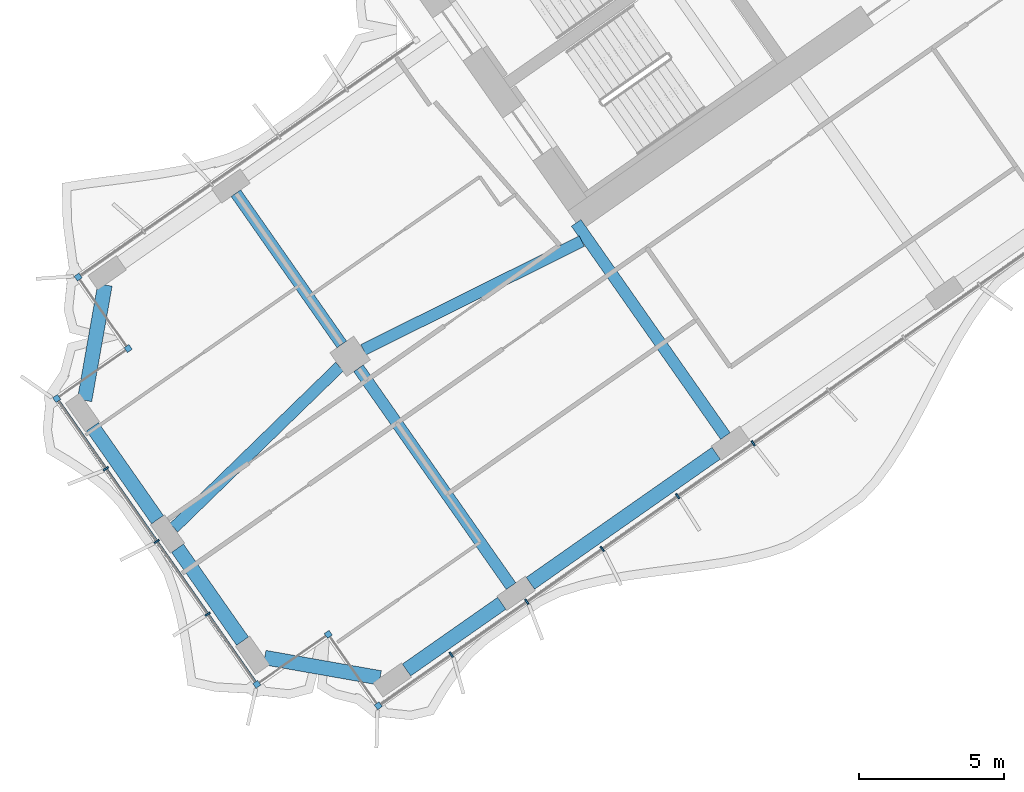
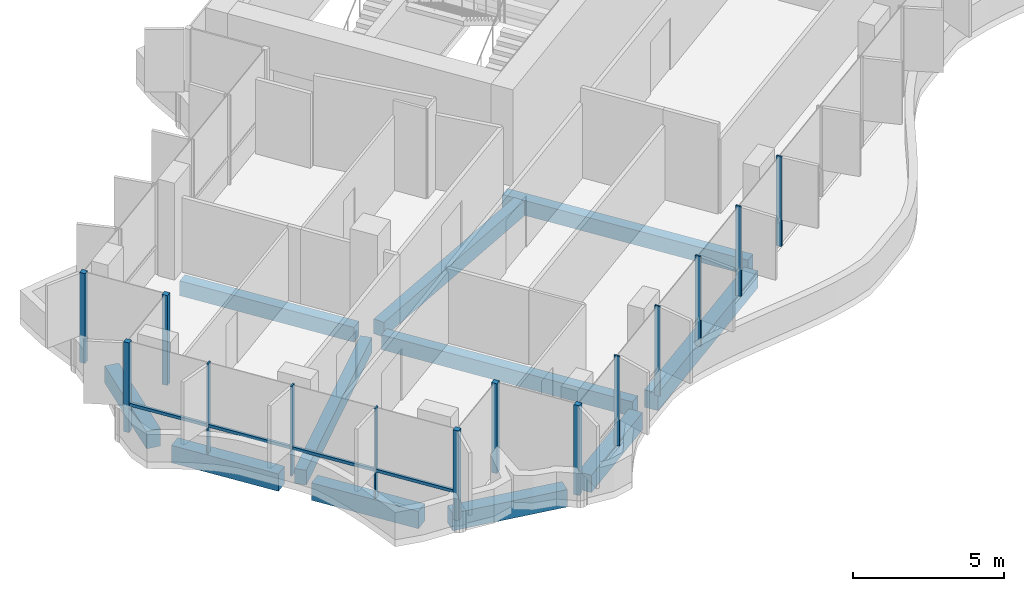
# One storey, part 2 of 22: 15 members, 11 beams, 1 element without a shape of its own.
"""IFC4 building model written with IfcOpenShell, lengths in metres."""

from ifc_helpers import new_model, si_unit, direction, frame, origin, origin_2d, place, context, subcontext, project, spatial, rectangle, extrude, material, material_profile, profile_set, type_object, element, aggregate, save


model = new_model("IFC4")

# Units and contexts
model_context = context("Model", 3, precision=1e-05, world=origin(), true_north=direction((0.0, 1.0)))
body_context = subcontext(model_context, "Body", "Model", "MODEL_VIEW")
ifc_project = project(units=[si_unit("LENGTHUNIT", "METRE"), si_unit("AREAUNIT", "SQUARE_METRE"), si_unit("VOLUMEUNIT", "CUBIC_METRE"), si_unit("PLANEANGLEUNIT", "RADIAN"), si_unit("MASSUNIT", "GRAM", prefix="KILO")], contexts=[model_context])

# Site, building, storey
site_placement = place(None, origin())
site = spatial("IfcSite", under=ifc_project, at=site_placement, CompositionType="ELEMENT")
building_placement = place(site_placement, origin())
building = spatial("IfcBuilding", under=site, at=building_placement, Name="Tel Ilan Convention Tower", CompositionType="ELEMENT")
storey_placement = place(building_placement, frame((0.0, 0.0, 143.699951171875)))
storey = spatial("IfcBuildingStorey", under=building, at=storey_placement, Name="L32", CompositionType="ELEMENT", Elevation=143.699951171875)

# Beams
ifc_material_1 = material(Name="Concrete C40/50", Category="concrete")
ifc_material_profile_1 = material_profile(ifc_material_1, rectangle(XDim=0.39990234375, YDim=0.60009765625, at=origin_2d()), Name="RC 400x600")
ifc_profile_set_1 = profile_set([ifc_material_profile_1], Name="Concrete C40/50")
beam_type_1 = type_object("IfcBeamType", Name="Beam RC 400x600 Concrete C40/50", PredefinedType="BEAM", material=ifc_profile_set_1)
beam_1_placement = place(storey_placement, frame((-16.58203125, -23.391357421875, -0.579833984375), z_axis=(-0.573584999642, 0.819146048141, 0.0), x_axis=(-0.819146048141, -0.573584999642, 0.0)))
element("IfcBeam", 1, at=beam_1_placement, inside=storey, type_object=beam_type_1, Name="L32 beam W-W-F3-core", PredefinedType="BEAM", context=body_context, shape_type="SweptSolid", body=[
    extrude(rectangle(XDim=0.39990234375, YDim=0.60009765625, at=origin_2d()), origin(), (0.0, 0.0, 1.0), 8.949951171875),
])
beam_2_placement = place(storey_placement, frame((-21.52099609375, -16.686279296875, -0.579833984375), z_axis=(-0.895402365524, -0.445257907076, 0.0), x_axis=(0.445257907076, -0.895402365524, 0.0)))
element("IfcBeam", 2, at=beam_2_placement, inside=storey, type_object=beam_type_1, Name="L32 beam W-core-W-M4", PredefinedType="BEAM", context=body_context, shape_type="SweptSolid", body=[
    extrude(rectangle(XDim=0.39990234375, YDim=0.60009765625, at=origin_2d()), origin(), (0.0, 0.0, 1.0), 8.3935546875),
])
beam_3_placement = place(storey_placement, frame((-29.8525390625, -21.001708984375, -0.579833984375), z_axis=(-0.716983836762, -0.697089791793, 0.0), x_axis=(0.697089791793, -0.716983836762, 0.0)))
element("IfcBeam", 3, at=beam_3_placement, inside=storey, type_object=beam_type_1, Name="L32 beam W-W-M4-end", PredefinedType="BEAM", context=body_context, shape_type="SweptSolid", body=[
    extrude(rectangle(XDim=0.39990234375, YDim=0.60009765625, at=origin_2d()), origin(), (0.0, 0.0, 1.0), 7.952392578125),
])
beam_4_placement = place(storey_placement, frame((-29.20263671875, -21.058349609375, -0.579833984375), z_axis=(0.573557249804, -0.819165478519, 0.0), x_axis=(0.819165478519, 0.573557249804, 0.0)))
element("IfcBeam", 4, at=beam_4_placement, inside=storey, type_object=beam_type_1, Name="L32 beam W-W-M4-W-F4", PredefinedType="BEAM", context=body_context, shape_type="SweptSolid", body=[
    extrude(rectangle(XDim=0.39990234375, YDim=0.60009765625, at=origin_2d()), origin(), (0.0, 0.0, 1.0), 9.14990234375),
])
beam_5_placement = place(storey_placement, frame((-29.7763671875, -20.2392578125, -0.579833984375), z_axis=(-0.573560394383, 0.819163276762, 0.0), x_axis=(-0.819163276762, -0.573560394383, 0.0)))
element("IfcBeam", 5, at=beam_5_placement, inside=storey, type_object=beam_type_1, Name="L32 beam W-W-M4-W-B4", PredefinedType="BEAM", context=body_context, shape_type="SweptSolid", body=[
    extrude(rectangle(XDim=0.39990234375, YDim=0.60009765625, at=origin_2d()), origin(), (0.0, 0.0, 1.0), 6.349853515625),
])
ifc_material_2 = material(Name="Concrete C40/50", Category="concrete")
ifc_material_profile_2 = material_profile(ifc_material_2, rectangle(XDim=0.5, YDim=0.699951171875, at=origin_2d()), Name="RC 500x700")
ifc_profile_set_2 = profile_set([ifc_material_profile_2], Name="Concrete C40/50")
beam_type_2 = type_object("IfcBeamType", Name="Beam RC 500x700 Concrete C40/50", PredefinedType="BEAM", material=ifc_profile_set_2)
beam_6_placement = place(storey_placement, frame((-16.901611328125, -23.981201171875, -0.6298828125), z_axis=(-0.819153977895, -0.573573674866, 0.0), x_axis=(0.573573674866, -0.819153977895, 0.0)))
element("IfcBeam", 6, at=beam_6_placement, inside=storey, type_object=beam_type_2, Name="L32 beam W-W-F3-W-F4", PredefinedType="BEAM", context=body_context, shape_type="SweptSolid", body=[
    extrude(rectangle(XDim=0.5, YDim=0.699951171875, at=origin_2d()), origin(), (0.0, 0.0, 1.0), 7.800048828125),
])
beam_7_placement = place(storey_placement, frame((-24.27392578125, -29.1435546875, -0.6298828125), z_axis=(-0.819165963305, -0.573556557423, 0.0), x_axis=(0.573556557423, -0.819165963305, 0.0)))
element("IfcBeam", 7, at=beam_7_placement, inside=storey, type_object=beam_type_2, Name="L32 beam W-W-F4-W-FC", PredefinedType="BEAM", context=body_context, shape_type="SweptSolid", body=[
    extrude(rectangle(XDim=0.5, YDim=0.699951171875, at=origin_2d()), origin(), (0.0, 0.0, 1.0), 4.0),
])
beam_8_placement = place(storey_placement, frame((-28.459716796875, -31.708251953125, -0.6298828125), z_axis=(-0.984806721117, 0.173654029734, 0.0), x_axis=(-0.173654029734, -0.984806721117, 0.0)))
element("IfcBeam", 8, at=beam_8_placement, inside=storey, type_object=beam_type_2, Name="L32 beam W-W-FC-W-E1", PredefinedType="BEAM", context=body_context, shape_type="SweptSolid", body=[
    extrude(rectangle(XDim=0.5, YDim=0.699951171875, at=origin_2d()), origin(), (0.0, 0.0, 1.0), 4.03076171875),
])
for number, where, z_axis, x_axis, name in (
    (9, (-33.19091796875, -30.443115234375, -0.6298828125), (-0.573609383536, 0.819128973434, 0.0), (-0.819128973434, -0.573609383536, 0.0), "L32 beam W-W-E1-W-E2"),
    (10, (-36.1162109375, -26.265380859375, -0.6298828125), (-0.573609383536, 0.819128973434, 0.0), (-0.819128973434, -0.573609383536, 0.0), "L32 beam W-W-E2-W-E3"),
):
    element("IfcBeam", number, at=place(storey_placement, frame(where, z_axis=z_axis, x_axis=x_axis)), inside=storey, type_object=beam_type_2, Name=name, PredefinedType="BEAM", context=body_context, shape_type="SweptSolid", body=[
        extrude(rectangle(XDim=0.5, YDim=0.699951171875, at=origin_2d()), origin(), (0.0, 0.0, 1.0), 3.89990234375),
    ])
beam_9_placement = place(storey_placement, frame((-38.623779296875, -22.16162109375, -0.6298828125), z_axis=(0.173654029734, 0.984806721117, 0.0), x_axis=(-0.984806721117, 0.173654029734, 0.0)))
element("IfcBeam", 11, at=beam_9_placement, inside=storey, type_object=beam_type_2, Name="L32 beam W-W-E3-W-BC", PredefinedType="BEAM", context=body_context, shape_type="SweptSolid", body=[
    extrude(rectangle(XDim=0.5, YDim=0.699951171875, at=origin_2d()), origin(), (0.0, 0.0, 1.0), 4.03076171875),
])

# Curtain wall, members
ifc_material_3 = material(Name="Aluminium, bronze anodised", Category="aluminium")
curtain_wall_type = type_object("IfcCurtainWallType", Name="CW4 STICK CURTAIN WALL, OFFICE TINTED GLASS", PredefinedType="NOTDEFINED", material=ifc_material_3)
curtain_wall_placement = place(storey_placement, origin())
curtain_wall = element("IfcCurtainWall", 12, at=curtain_wall_placement, inside=storey, type_object=curtain_wall_type, Name="Curtain wall CW4-26.04", PredefinedType="NOTDEFINED")
ifc_material_4 = material(Name="Aluminium, bronze anodised", Category="aluminium")
ifc_material_profile_3 = material_profile(ifc_material_4, rectangle(XDim=0.199951171875, YDim=0.199951171875, at=origin_2d()), Name="CW CORNER MULLION 200x200")
ifc_profile_set_3 = profile_set([ifc_material_profile_3], Name="Aluminium, bronze anodised")
member_type_1 = type_object("IfcMemberType", Name="CW CORNER MULLION 200x200", PredefinedType="MULLION", material=ifc_profile_set_3)
member_1_placement = place(storey_placement, frame((-38.845458984375, -17.922119140625, 0.0), z_axis=(0.0, 0.0, 1.0), x_axis=(-0.819152044289, -0.573576436351, 0.0)))
member_1 = element("IfcMember", 13, at=member_1_placement, type_object=member_type_1, Name="Corner mullion", PredefinedType="MULLION", context=body_context, shape_type="SweptSolid", body=[
    extrude(rectangle(XDim=0.199951171875, YDim=0.199951171875, at=origin_2d()), origin(), (0.0, 0.0, 1.0), 3.6201171875),
])
member_2_placement = place(storey_placement, frame((-37.124755859375, -20.37939453125, 0.0), z_axis=(0.0, 0.0, 1.0), x_axis=(0.573576436351, -0.819152044289, 0.0)))
member_2 = element("IfcMember", 14, at=member_2_placement, type_object=member_type_1, Name="Corner mullion", PredefinedType="MULLION", context=body_context, shape_type="SweptSolid", body=[
    extrude(rectangle(XDim=0.199951171875, YDim=0.199951171875, at=origin_2d()), origin(), (0.0, 0.0, 1.0), 3.6201171875),
])
member_3_placement = place(storey_placement, frame((-39.582275390625, -22.10009765625, 0.0), z_axis=(0.0, 0.0, 1.0), x_axis=(-0.819152044289, -0.573576436351, 0.0)))
member_3 = element("IfcMember", 15, at=member_3_placement, type_object=member_type_1, Name="Corner mullion", PredefinedType="MULLION", context=body_context, shape_type="SweptSolid", body=[
    extrude(rectangle(XDim=0.199951171875, YDim=0.199951171875, at=origin_2d()), origin(), (0.0, 0.0, 1.0), 3.6201171875),
])
member_4_placement = place(storey_placement, frame((-32.69921875, -31.929931640625, 0.0), z_axis=(0.0, 0.0, 1.0), x_axis=(0.573576436351, -0.819152044289, 0.0)))
member_4 = element("IfcMember", 16, at=member_4_placement, type_object=member_type_1, Name="Corner mullion", PredefinedType="MULLION", context=body_context, shape_type="SweptSolid", body=[
    extrude(rectangle(XDim=0.199951171875, YDim=0.199951171875, at=origin_2d()), origin(), (0.0, 0.0, 1.0), 3.6201171875),
])
member_5_placement = place(storey_placement, frame((-30.241943359375, -30.209228515625, 0.0), z_axis=(0.0, 0.0, 1.0), x_axis=(0.819152044289, 0.573576436351, 0.0)))
member_5 = element("IfcMember", 17, at=member_5_placement, type_object=member_type_1, Name="Corner mullion", PredefinedType="MULLION", context=body_context, shape_type="SweptSolid", body=[
    extrude(rectangle(XDim=0.199951171875, YDim=0.199951171875, at=origin_2d()), origin(), (0.0, 0.0, 1.0), 3.6201171875),
])
member_6_placement = place(storey_placement, frame((-28.52099609375, -32.666748046875, 0.0), z_axis=(0.0, 0.0, 1.0), x_axis=(0.573576436351, -0.819152044289, 0.0)))
member_6 = element("IfcMember", 18, at=member_6_placement, type_object=member_type_1, Name="Corner mullion", PredefinedType="MULLION", context=body_context, shape_type="SweptSolid", body=[
    extrude(rectangle(XDim=0.199951171875, YDim=0.199951171875, at=origin_2d()), origin(), (0.0, 0.0, 1.0), 3.6201171875),
])
ifc_material_5 = material(Name="Aluminium, bronze anodised", Category="aluminium")
ifc_material_profile_4 = material_profile(ifc_material_5, rectangle(XDim=0.06005859375, YDim=0.199951171875, at=origin_2d()), Name="CW MULLION 60x200")
ifc_profile_set_4 = profile_set([ifc_material_profile_4], Name="Aluminium, bronze anodised")
member_type_2 = type_object("IfcMemberType", Name="CW MULLION 60x200", PredefinedType="MULLION", material=ifc_profile_set_4)
member_7_placement = place(storey_placement, frame((-37.89013671875, -24.5166015625, 0.0), z_axis=(0.0, 0.0, 1.0), x_axis=(0.573576436351, -0.819152044289, 0.0)))
member_7 = element("IfcMember", 19, at=member_7_placement, type_object=member_type_2, Name="Mullion", PredefinedType="MULLION", context=body_context, shape_type="SweptSolid", body=[
    extrude(rectangle(XDim=0.06005859375, YDim=0.199951171875, at=origin_2d()), origin(), (0.0, 0.0, 1.0), 3.6201171875),
])
member_8_placement = place(storey_placement, frame((-36.140869140625, -27.01513671875, 0.0), z_axis=(0.0, 0.0, 1.0), x_axis=(0.573576436351, -0.819152044289, 0.0)))
member_8 = element("IfcMember", 20, at=member_8_placement, type_object=member_type_2, Name="Mullion", PredefinedType="MULLION", context=body_context, shape_type="SweptSolid", body=[
    extrude(rectangle(XDim=0.06005859375, YDim=0.199951171875, at=origin_2d()), origin(), (0.0, 0.0, 1.0), 3.6201171875),
])
member_9_placement = place(storey_placement, frame((-34.391357421875, -29.513427734375, 0.0), z_axis=(0.0, 0.0, 1.0), x_axis=(0.573576436351, -0.819152044289, 0.0)))
member_9 = element("IfcMember", 21, at=member_9_placement, type_object=member_type_2, Name="Mullion", PredefinedType="MULLION", context=body_context, shape_type="SweptSolid", body=[
    extrude(rectangle(XDim=0.06005859375, YDim=0.199951171875, at=origin_2d()), origin(), (0.0, 0.0, 1.0), 3.6201171875),
])
member_10_placement = place(storey_placement, frame((-26.008056640625, -30.906982421875, 0.0), z_axis=(0.0, 0.0, 1.0), x_axis=(0.819152044289, 0.573576436351, 0.0)))
member_10 = element("IfcMember", 22, at=member_10_placement, type_object=member_type_2, Name="Mullion", PredefinedType="MULLION", context=body_context, shape_type="SweptSolid", body=[
    extrude(rectangle(XDim=0.06005859375, YDim=0.199951171875, at=origin_2d()), origin(), (0.0, 0.0, 1.0), 3.6201171875),
])
member_11_placement = place(storey_placement, frame((-23.412841796875, -29.08984375, 0.0), z_axis=(0.0, 0.0, 1.0), x_axis=(0.819152044289, 0.573576436351, 0.0)))
member_11 = element("IfcMember", 23, at=member_11_placement, type_object=member_type_2, Name="Mullion", PredefinedType="MULLION", context=body_context, shape_type="SweptSolid", body=[
    extrude(rectangle(XDim=0.06005859375, YDim=0.199951171875, at=origin_2d()), origin(), (0.0, 0.0, 1.0), 3.6201171875),
])
member_12_placement = place(storey_placement, frame((-20.81787109375, -27.27294921875, 0.0), z_axis=(0.0, 0.0, 1.0), x_axis=(0.819152044289, 0.573576436351, 0.0)))
member_12 = element("IfcMember", 24, at=member_12_placement, type_object=member_type_2, Name="Mullion", PredefinedType="MULLION", context=body_context, shape_type="SweptSolid", body=[
    extrude(rectangle(XDim=0.06005859375, YDim=0.199951171875, at=origin_2d()), origin(), (0.0, 0.0, 1.0), 3.6201171875),
])
member_13_placement = place(storey_placement, frame((-18.222900390625, -25.455810546875, 0.0), z_axis=(0.0, 0.0, 1.0), x_axis=(0.819152044289, 0.573576436351, 0.0)))
member_13 = element("IfcMember", 25, at=member_13_placement, type_object=member_type_2, Name="Mullion", PredefinedType="MULLION", context=body_context, shape_type="SweptSolid", body=[
    extrude(rectangle(XDim=0.06005859375, YDim=0.199951171875, at=origin_2d()), origin(), (0.0, 0.0, 1.0), 3.6201171875),
])
member_14_placement = place(storey_placement, frame((-15.627685546875, -23.638671875, 0.0), z_axis=(0.0, 0.0, 1.0), x_axis=(0.819152044289, 0.573576436351, 0.0)))
member_14 = element("IfcMember", 26, at=member_14_placement, type_object=member_type_2, Name="Mullion", PredefinedType="MULLION", context=body_context, shape_type="SweptSolid", body=[
    extrude(rectangle(XDim=0.06005859375, YDim=0.199951171875, at=origin_2d()), origin(), (0.0, 0.0, 1.0), 3.6201171875),
])
ifc_material_6 = material(Name="Aluminium, bronze anodised", Category="aluminium")
ifc_material_profile_5 = material_profile(ifc_material_6, rectangle(XDim=0.10009765625, YDim=0.1201171875, at=origin_2d()), Name="CW TRANSOM 100x120")
ifc_profile_set_5 = profile_set([ifc_material_profile_5], Name="Aluminium, bronze anodised")
member_type_3 = type_object("IfcMemberType", Name="CW TRANSOM 100x120", PredefinedType="USERDEFINED", material=ifc_profile_set_5)
member_15_placement = place(storey_placement, frame((-39.52490234375, -22.18212890625, 1.10009765625), z_axis=(0.573581755582, -0.819148319698, 0.0), x_axis=(0.819148319698, 0.573581755582, 0.0)))
member_15 = element("IfcMember", 27, at=member_15_placement, type_object=member_type_3, Name="Transom", ObjectType="TRANSOM", PredefinedType="USERDEFINED", context=body_context, shape_type="SweptSolid", body=[
    extrude(rectangle(XDim=0.10009765625, YDim=0.1201171875, at=origin_2d()), origin(), (0.0, 0.0, 1.0), 11.800048828125),
])
aggregate(curtain_wall, [member_1, member_2, member_3, member_7, member_8, member_9, member_4, member_15, member_5, member_6, member_10, member_11, member_12, member_13, member_14])

save(model, "model.ifc")
